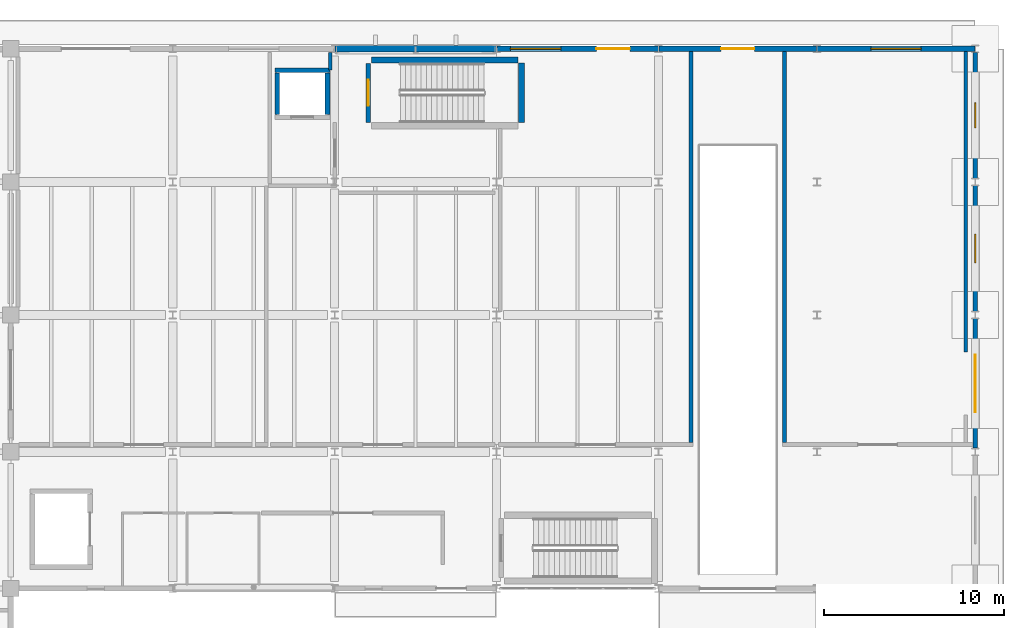
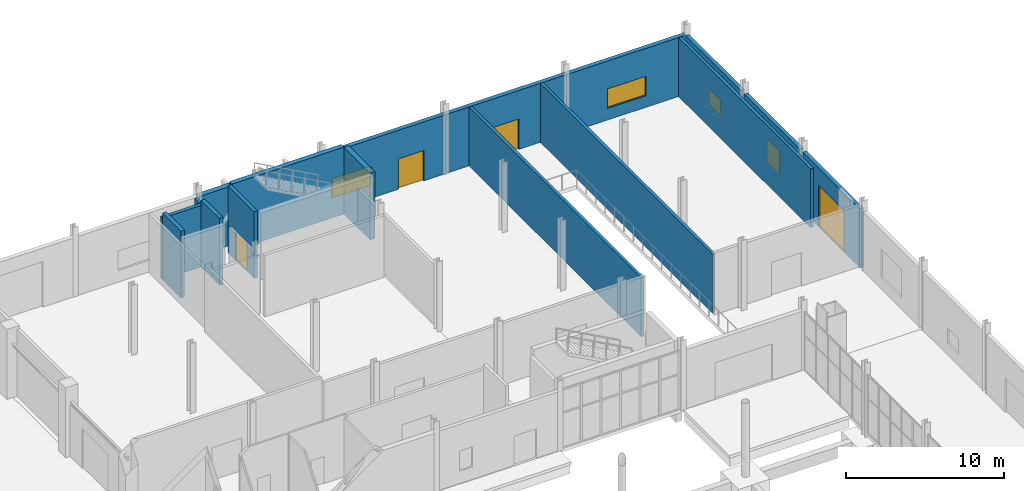
# One storey, part 80 of 95: 17 walls, 4 doors, 4 windows, 8 openings.
"""IFC4 building model written with IfcOpenShell, lengths in metres."""

from ifc_helpers import new_model, si_unit, direction, frame, frame_2d, origin, place, context, subcontext, project, spatial, rectangle, extrude, material, layer, layer_set, type_object, element, fill, save


model = new_model("IFC4")

# Units and contexts
model_context = context("Model", 3, precision=1e-05, world=origin(), true_north=direction((0.0, 1.0)))
body_context = subcontext(model_context, "Body", "Model", "MODEL_VIEW")
ifc_project = project(units=[si_unit("LENGTHUNIT", "METRE"), si_unit("AREAUNIT", "SQUARE_METRE"), si_unit("VOLUMEUNIT", "CUBIC_METRE"), si_unit("PLANEANGLEUNIT", "RADIAN"), si_unit("MASSUNIT", "GRAM", prefix="KILO")], contexts=[model_context])

# Site, building, storey
site_placement = place(None, origin())
site = spatial("IfcSite", under=ifc_project, at=site_placement, CompositionType="ELEMENT")
building_placement = place(site_placement, origin())
building = spatial("IfcBuilding", under=site, at=building_placement, Name="Shengluoqiao Park Theatre", CompositionType="ELEMENT")
storey_placement = place(building_placement, origin())
storey = spatial("IfcBuildingStorey", under=building, at=storey_placement, Name="L00", CompositionType="ELEMENT", Elevation=0.0)

# Wall, opening, door
ifc_material_1 = material(Name="Concrete C40", Category="concrete")
ifc_layer_1 = layer(ifc_material_1, 0.27001953125, Name="Concrete C40")
ifc_layer_set_1 = layer_set([ifc_layer_1], Name="Concrete C40")
wall_type_1 = type_object("IfcWallType", Name="ENV-WL-CONC270", PredefinedType="STANDARD", material=ifc_layer_set_1)
wall_1_placement = place(storey_placement, frame((166.0, 91.803955078125, 0.0), z_axis=(0.0, 0.0, 1.0), x_axis=(0.0, 1.0, 0.0)))
wall_1 = element("IfcWall", 1, at=wall_1_placement, inside=storey, type_object=wall_type_1, Name="L00 Exterior Wall 0183", PredefinedType="STANDARD", context=body_context, shape_type="SweptSolid", body=[
    extrude(rectangle(XDim=7.192138671875, YDim=0.27001953125, at=frame_2d((3.59619140625, 0.0))), origin(), (0.0, 0.0, 1.0), 4.550048828125),
])
opening_1_placement = place(wall_1_placement, frame((1.99609375, 0.0, 0.0)))
opening_1 = element("IfcOpeningElement", 2, at=opening_1_placement, cuts=wall_1, Name="Opening SG-MTL-021", PredefinedType="OPENING", context=body_context, shape_type="SweptSolid", body=[
    extrude(rectangle(XDim=3.199951171875, YDim=3.199951171875, at=frame_2d((1.60009765625, 1.60009765625))), frame((0.0, 0.14501953125, 0.0), z_axis=(0.0, -1.0, 0.0), x_axis=(1.0, 0.0, 0.0)), (0.0, 0.0, 1.0), 0.2900390625),
])
ifc_material_2 = material(Name="Steel Q355", Category="steel")
door_type_1 = type_object("IfcDoorType", Name="ENV-GT-DCK320", OperationType="DOUBLE_DOOR_SINGLE_SWING", PredefinedType="GATE", material=ifc_material_2)
door_1_placement = place(opening_1_placement, origin())
door_1 = element("IfcDoor", 3, at=door_1_placement, inside=storey, type_object=door_type_1, Name="Metalwork Yard Gate SG-MTL-021", OperationType="DOUBLE_DOOR_SINGLE_SWING", OverallHeight=3.199951171875, OverallWidth=3.199951171875, PredefinedType="GATE", context=body_context, shape_type="SweptSolid", body=[
    extrude(rectangle(XDim=3.199951171875, YDim=3.199951171875, at=frame_2d((1.60009765625, 1.60009765625))), frame((0.0, 0.02490234375, 0.0), z_axis=(0.0, -1.0, 0.0), x_axis=(1.0, 0.0, 0.0)), (0.0, 0.0, 1.0), 0.050048828125),
])
fill(opening_1, door_1)

# Wall, opening, window
wall_2_placement = place(storey_placement, frame((166.0, 99.404052734375, 0.0), z_axis=(0.0, 0.0, 1.0), x_axis=(0.0, 1.0, 0.0)))
wall_2 = element("IfcWall", 4, at=wall_2_placement, inside=storey, type_object=wall_type_1, Name="L00 Exterior Wall 0184", PredefinedType="STANDARD", context=body_context, shape_type="SweptSolid", body=[
    extrude(rectangle(XDim=6.991943359375, YDim=0.27001953125, at=frame_2d((3.49609375, 0.0))), origin(), (0.0, 0.0, 1.0), 4.550048828125),
])
opening_2_placement = place(wall_2_placement, frame((2.696044921875, 0.0, 0.89990234375)))
opening_2 = element("IfcOpeningElement", 5, at=opening_2_placement, cuts=wall_2, Name="Opening W-06", PredefinedType="OPENING", context=body_context, shape_type="SweptSolid", body=[
    extrude(rectangle(XDim=1.60009765625, YDim=1.800048828125, at=frame_2d((0.800048828125, 0.89990234375))), frame((0.0, 0.14501953125, 0.0), z_axis=(0.0, -1.0, 0.0), x_axis=(1.0, 0.0, 0.0)), (0.0, 0.0, 1.0), 0.2900390625),
])
ifc_material_3 = material(Name="Insulated glass", Category="glass")
window_type_1 = type_object("IfcWindowType", Name="ENV-WIN-W06", PartitioningType="DOUBLE_PANEL_VERTICAL", PredefinedType="WINDOW", material=ifc_material_3)
window_1_placement = place(opening_2_placement, origin())
window_1 = element("IfcWindow", 6, at=window_1_placement, inside=storey, type_object=window_type_1, Name="L00 Acoustic Window 0032", OverallHeight=1.800048828125, OverallWidth=1.60009765625, PartitioningType="DOUBLE_PANEL_VERTICAL", PredefinedType="WINDOW", context=body_context, shape_type="SweptSolid", body=[
    extrude(rectangle(XDim=1.60009765625, YDim=1.800048828125, at=frame_2d((0.800048828125, 0.89990234375))), frame((0.0, 0.030029296875, 0.0), z_axis=(0.0, -1.0, 0.0), x_axis=(1.0, 0.0, 0.0)), (0.0, 0.0, 1.0), 0.06005859375),
])
fill(opening_2, window_1)

wall_3_placement = place(storey_placement, frame((166.0, 106.803955078125, 0.0), z_axis=(0.0, 0.0, 1.0), x_axis=(0.0, 1.0, 0.0)))
wall_3 = element("IfcWall", 7, at=wall_3_placement, inside=storey, type_object=wall_type_1, Name="L00 Exterior Wall 0185", PredefinedType="STANDARD", context=body_context, shape_type="SweptSolid", body=[
    extrude(rectangle(XDim=6.991943359375, YDim=0.27001953125, at=frame_2d((3.49609375, 0.0))), origin(), (0.0, 0.0, 1.0), 4.550048828125),
])
opening_3_placement = place(wall_3_placement, frame((2.7958984375, 0.0, 0.89990234375)))
opening_3 = element("IfcOpeningElement", 8, at=opening_3_placement, cuts=wall_3, Name="Opening W-12", PredefinedType="OPENING", context=body_context, shape_type="SweptSolid", body=[
    extrude(rectangle(XDim=1.39990234375, YDim=1.199951171875, at=frame_2d((0.699951171875, 0.60009765625))), frame((0.0, 0.14501953125, 0.0), z_axis=(0.0, -1.0, 0.0), x_axis=(1.0, 0.0, 0.0)), (0.0, 0.0, 1.0), 0.2900390625),
])
window_type_2 = type_object("IfcWindowType", Name="ENV-WIN-W12", PartitioningType="SINGLE_PANEL", PredefinedType="WINDOW", material=ifc_material_3)
window_2_placement = place(opening_3_placement, origin())
window_2 = element("IfcWindow", 9, at=window_2_placement, inside=storey, type_object=window_type_2, Name="L00 Acoustic Window 0033", OverallHeight=1.199951171875, OverallWidth=1.39990234375, PartitioningType="SINGLE_PANEL", PredefinedType="WINDOW", context=body_context, shape_type="SweptSolid", body=[
    extrude(rectangle(XDim=1.39990234375, YDim=1.199951171875, at=frame_2d((0.699951171875, 0.60009765625))), frame((0.0, 0.030029296875, 0.0), z_axis=(0.0, -1.0, 0.0), x_axis=(1.0, 0.0, 0.0)), (0.0, 0.0, 1.0), 0.06005859375),
])
fill(opening_3, window_2)

# Wall, openings, door, window
ifc_layer_2 = layer(ifc_material_1, 0.31005859375, Name="Concrete C40")
ifc_layer_set_2 = layer_set([ifc_layer_2], Name="Concrete C40")
wall_type_2 = type_object("IfcWallType", Name="ENV-WL-CONC310", PredefinedType="STANDARD", material=ifc_layer_set_2)
wall_4_placement = place(storey_placement, frame((139.41357421875, 114.0, 0.0), z_axis=(0.0, 0.0, 1.0), x_axis=(1.0, 0.0, 0.0)))
wall_4 = element("IfcWall", 10, at=wall_4_placement, inside=storey, type_object=wall_type_2, Name="L00 Exterior Wall 0164", PredefinedType="STANDARD", context=body_context, shape_type="SweptSolid", body=[
    extrude(rectangle(XDim=8.972900390625, YDim=0.31005859375, at=frame_2d((4.486328125, 0.0))), origin(), (0.0, 0.0, 1.0), 4.550048828125),
])
opening_4_placement = place(wall_4_placement, frame((0.75341796875, 0.0, 0.89990234375)))
opening_4 = element("IfcOpeningElement", 11, at=opening_4_placement, cuts=wall_4, Name="Opening W-09", PredefinedType="OPENING", context=body_context, shape_type="SweptSolid", body=[
    extrude(rectangle(XDim=2.800048828125, YDim=1.5, at=frame_2d((1.39990234375, 0.75))), frame((0.0, 0.1650390625, 0.0), z_axis=(0.0, -1.0, 0.0), x_axis=(1.0, 0.0, 0.0)), (0.0, 0.0, 1.0), 0.330078125),
])
opening_5_placement = place(wall_4_placement, frame((5.53564453125, 0.0, 0.0)))
opening_5 = element("IfcOpeningElement", 12, at=opening_5_placement, cuts=wall_4, Name="Opening ED-ST06-014", PredefinedType="OPENING", context=body_context, shape_type="SweptSolid", body=[
    extrude(rectangle(XDim=1.85009765625, YDim=2.35009765625, at=frame_2d((0.925048828125, 1.175048828125))), frame((0.0, 0.1650390625, 0.0), z_axis=(0.0, -1.0, 0.0), x_axis=(1.0, 0.0, 0.0)), (0.0, 0.0, 1.0), 0.330078125),
])
ifc_material_4 = material(Name="Aluminium 6063-T6", Category="aluminium")
door_type_2 = type_object("IfcDoorType", Name="ENV-DR-EX185", OperationType="DOUBLE_DOOR_SINGLE_SWING", PredefinedType="DOOR", material=ifc_material_4)
door_2_placement = place(opening_5_placement, origin())
door_2 = element("IfcDoor", 13, at=door_2_placement, inside=storey, type_object=door_type_2, Name="Backstage Stair ST-06 North Exit Door ED-ST06-014", OperationType="DOUBLE_DOOR_SINGLE_SWING", OverallHeight=2.35009765625, OverallWidth=1.85009765625, PredefinedType="DOOR", context=body_context, shape_type="SweptSolid", body=[
    extrude(rectangle(XDim=1.85009765625, YDim=2.35009765625, at=frame_2d((0.925048828125, 1.175048828125))), frame((0.0, 0.02490234375, 0.0), z_axis=(0.0, -1.0, 0.0), x_axis=(1.0, 0.0, 0.0)), (0.0, 0.0, 1.0), 0.050048828125),
])
fill(opening_5, door_2)
window_type_3 = type_object("IfcWindowType", Name="ENV-WIN-W09", PartitioningType="TRIPLE_PANEL_VERTICAL", PredefinedType="WINDOW", material=ifc_material_3)
window_3_placement = place(opening_4_placement, origin())
window_3 = element("IfcWindow", 14, at=window_3_placement, inside=storey, type_object=window_type_3, Name="L00 Acoustic Window 0019", OverallHeight=1.5, OverallWidth=2.800048828125, PartitioningType="TRIPLE_PANEL_VERTICAL", PredefinedType="WINDOW", context=body_context, shape_type="SweptSolid", body=[
    extrude(rectangle(XDim=2.800048828125, YDim=1.5, at=frame_2d((1.39990234375, 0.75))), frame((0.0, 0.030029296875, 0.0), z_axis=(0.0, -1.0, 0.0), x_axis=(1.0, 0.0, 0.0)), (0.0, 0.0, 1.0), 0.06005859375),
])
fill(opening_4, window_3)

# Wall, opening, door
wall_5_placement = place(storey_placement, frame((148.41357421875, 114.0, 0.0), z_axis=(0.0, 0.0, 1.0), x_axis=(1.0, 0.0, 0.0)))
wall_5 = element("IfcWall", 15, at=wall_5_placement, inside=storey, type_object=wall_type_2, Name="L00 Exterior Wall 0165", PredefinedType="STANDARD", context=body_context, shape_type="SweptSolid", body=[
    extrude(rectangle(XDim=8.77294921875, YDim=0.31005859375, at=frame_2d((4.386474609375, 0.0))), origin(), (0.0, 0.0, 1.0), 4.550048828125),
])
opening_6_placement = place(wall_5_placement, frame((3.46142578125, 0.0, 0.0)))
opening_6 = element("IfcOpeningElement", 16, at=opening_6_placement, cuts=wall_5, Name="Opening ED-WKS-015", PredefinedType="OPENING", context=body_context, shape_type="SweptSolid", body=[
    extrude(rectangle(XDim=1.85009765625, YDim=2.35009765625, at=frame_2d((0.925048828125, 1.175048828125))), frame((0.0, 0.1650390625, 0.0), z_axis=(0.0, -1.0, 0.0), x_axis=(1.0, 0.0, 0.0)), (0.0, 0.0, 1.0), 0.330078125),
])
door_3_placement = place(opening_6_placement, origin())
door_3 = element("IfcDoor", 17, at=door_3_placement, inside=storey, type_object=door_type_2, Name="Workshop North Exit Door ED-WKS-015", OperationType="DOUBLE_DOOR_SINGLE_SWING", OverallHeight=2.35009765625, OverallWidth=1.85009765625, PredefinedType="DOOR", context=body_context, shape_type="SweptSolid", body=[
    extrude(rectangle(XDim=1.85009765625, YDim=2.35009765625, at=frame_2d((0.925048828125, 1.175048828125))), frame((0.0, 0.02490234375, 0.0), z_axis=(0.0, -1.0, 0.0), x_axis=(1.0, 0.0, 0.0)), (0.0, 0.0, 1.0), 0.050048828125),
])
fill(opening_6, door_3)

# Wall, opening, window
wall_6_placement = place(storey_placement, frame((157.21337890625, 114.0, 0.0), z_axis=(0.0, 0.0, 1.0), x_axis=(1.0, 0.0, 0.0)))
wall_6 = element("IfcWall", 18, at=wall_6_placement, inside=storey, type_object=wall_type_2, Name="L00 Exterior Wall 0166", PredefinedType="STANDARD", context=body_context, shape_type="SweptSolid", body=[
    extrude(rectangle(XDim=8.773193359375, YDim=0.31005859375, at=frame_2d((4.38671875, 0.0))), origin(), (0.0, 0.0, 1.0), 4.550048828125),
])
opening_7_placement = place(wall_6_placement, frame((2.986572265625, 0.0, 0.89990234375)))
opening_7 = element("IfcOpeningElement", 19, at=opening_7_placement, cuts=wall_6, Name="Opening W-09", PredefinedType="OPENING", context=body_context, shape_type="SweptSolid", body=[
    extrude(rectangle(XDim=2.800048828125, YDim=1.5, at=frame_2d((1.39990234375, 0.75))), frame((0.0, 0.1650390625, 0.0), z_axis=(0.0, -1.0, 0.0), x_axis=(1.0, 0.0, 0.0)), (0.0, 0.0, 1.0), 0.330078125),
])
window_4_placement = place(opening_7_placement, origin())
window_4 = element("IfcWindow", 20, at=window_4_placement, inside=storey, type_object=window_type_3, Name="L00 Acoustic Window 0020", OverallHeight=1.5, OverallWidth=2.800048828125, PartitioningType="TRIPLE_PANEL_VERTICAL", PredefinedType="WINDOW", context=body_context, shape_type="SweptSolid", body=[
    extrude(rectangle(XDim=2.800048828125, YDim=1.5, at=frame_2d((1.39990234375, 0.75))), frame((0.0, 0.030029296875, 0.0), z_axis=(0.0, -1.0, 0.0), x_axis=(1.0, 0.0, 0.0)), (0.0, 0.0, 1.0), 0.06005859375),
])
fill(opening_7, window_4)

# Walls
ifc_material_5 = material(Name="Concrete C45", Category="concrete")
ifc_layer_3 = layer(ifc_material_5, 0.3798828125, Name="Concrete C45")
ifc_layer_set_3 = layer_set([ifc_layer_3], Name="Concrete C45")
wall_type_3 = type_object("IfcWallType", Name="ENV-WL-CONC380", PredefinedType="STANDARD", material=ifc_layer_set_3)
wall_7_placement = place(storey_placement, frame((130.41357421875, 114.0, 0.0), z_axis=(0.0, 0.0, 1.0), x_axis=(1.0, 0.0, 0.0)))
element("IfcWall", 21, at=wall_7_placement, inside=storey, type_object=wall_type_3, Name="L00 Exterior Wall 0163", PredefinedType="STANDARD", context=body_context, shape_type="SweptSolid", body=[
    extrude(rectangle(XDim=8.972900390625, YDim=0.3798828125, at=frame_2d((4.486328125, 0.0))), origin(), (0.0, 0.0, 1.0), 4.550048828125),
])
ifc_material_6 = material(Name="Concrete blockwork B06", Category="masonry")
ifc_layer_4 = layer(ifc_material_6, 0.2099609375, Name="Concrete blockwork B06")
ifc_layer_set_4 = layer_set([ifc_layer_4], Name="Concrete blockwork B06")
wall_type_4 = type_object("IfcWallType", Name="INT-WL-CMP210", PredefinedType="PARTITIONING", material=ifc_layer_set_4)
for number, where, z_axis, x_axis, name in (
    (22, (150.199951171875, 92.111083984375, 0.0), (0.0, 0.0, 1.0), (0.0, 1.0, 0.0), "Paint Workshop Partition E"),
    (23, (155.39990234375, 92.111083984375, 0.0), (0.0, 0.0, 1.0), (0.0, 1.0, 0.0), "Metalwork Workshop Partition W"),
):
    element("IfcWall", number, at=place(storey_placement, frame(where, z_axis=z_axis, x_axis=x_axis)), inside=storey, type_object=wall_type_4, Name=name, PredefinedType="PARTITIONING", context=body_context, shape_type="SweptSolid", body=[
        extrude(rectangle(XDim=21.725830078125, YDim=0.2099609375, at=frame_2d((10.86279296875, 0.0))), origin(), (0.0, 0.0, 1.0), 4.550048828125),
    ])
wall_8_placement = place(storey_placement, frame((165.47998046875, 97.159912109375, 0.0), z_axis=(0.0, 0.0, 1.0), x_axis=(0.0, 1.0, 0.0)))
element("IfcWall", 24, at=wall_8_placement, inside=storey, type_object=wall_type_4, Name="Metalwork Workshop Partition E", PredefinedType="PARTITIONING", context=body_context, shape_type="SweptSolid", body=[
    extrude(rectangle(XDim=16.677001953125, YDim=0.2099609375, at=frame_2d((8.33837890625, 0.0))), origin(), (0.0, 0.0, 1.0), 4.550048828125),
])
ifc_layer_5 = layer(ifc_material_6, 0.195068359375, Name="Concrete blockwork B06")
ifc_layer_set_5 = layer_set([ifc_layer_5], Name="Concrete blockwork B06")
wall_type_5 = type_object("IfcWallType", Name="INT-WL-FFL195", PredefinedType="PARTITIONING", material=ifc_layer_set_5)
wall_9_placement = place(storey_placement, frame((130.139892578125, 112.820068359375, 0.0), z_axis=(0.0, 0.0, 1.0), x_axis=(0.0, 1.0, 0.0)))
element("IfcWall", 25, at=wall_9_placement, inside=storey, type_object=wall_type_5, Name="L00 Firefighting Lift Lobby FF2 Fire Wall N", PredefinedType="PARTITIONING", context=body_context, shape_type="SweptSolid", body=[
    extrude(rectangle(XDim=0.9599609375, YDim=0.195068359375, at=frame_2d((0.47998046875, 0.0))), origin(), (0.0, 0.0, 1.0), 4.550048828125),
])
ifc_layer_6 = layer(ifc_material_1, 0.260009765625, Name="Concrete C40")
ifc_layer_set_6 = layer_set([ifc_layer_6], Name="Concrete C40")
wall_type_6 = type_object("IfcWallType", Name="INT-WL-SHF260", PredefinedType="STANDARD", material=ifc_layer_set_6)
wall_10_placement = place(storey_placement, frame((127.070068359375, 112.800048828125, 0.0), z_axis=(0.0, 0.0, 1.0), x_axis=(1.0, 0.0, 0.0)))
element("IfcWall", 26, at=wall_10_placement, inside=storey, type_object=wall_type_6, Name="L00 FF2 Lift Shaft Wall North", PredefinedType="STANDARD", context=body_context, shape_type="SweptSolid", body=[
    extrude(rectangle(XDim=3.059814453125, YDim=0.260009765625, at=frame_2d((1.52978515625, 0.0))), origin(), (0.0, 0.0, 1.0), 4.748046875),
])
for number, where, z_axis, x_axis, name in (
    (27, (127.199951171875, 110.3359375, 0.0), (0.0, 0.0, 1.0), (0.0, 1.0, 0.0), "L00 FF2 Lift Shaft Wall West"),
    (28, (130.0, 110.3359375, 0.0), (0.0, 0.0, 1.0), (0.0, 1.0, 0.0), "L00 FF2 Lift Shaft Wall East"),
):
    element("IfcWall", number, at=place(storey_placement, frame(where, z_axis=z_axis, x_axis=x_axis)), inside=storey, type_object=wall_type_6, Name=name, PredefinedType="STANDARD", context=body_context, shape_type="SweptSolid", body=[
        extrude(rectangle(XDim=2.328125, YDim=0.260009765625, at=frame_2d((1.1640625, 0.0))), origin(), (0.0, 0.0, 1.0), 5.159912109375),
    ])

# Wall, opening, door
ifc_layer_7 = layer(ifc_material_1, 0.239990234375, Name="Concrete C40")
ifc_layer_set_7 = layer_set([ifc_layer_7], Name="Concrete C40")
wall_type_7 = type_object("IfcWallType", Name="INT-WL-STW240", PredefinedType="STANDARD", material=ifc_layer_set_7)
wall_11_placement = place(storey_placement, frame((132.260009765625, 109.909912109375, 0.0), z_axis=(0.0, 0.0, 1.0), x_axis=(0.0, 1.0, 0.0)))
wall_11 = element("IfcWall", 29, at=wall_11_placement, inside=storey, type_object=wall_type_7, Name="L00 ST-06 Stairwell Fire Wall", PredefinedType="STANDARD", context=body_context, shape_type="SweptSolid", body=[
    extrude(rectangle(XDim=3.280029296875, YDim=0.239990234375, at=frame_2d((1.64013671875, 0.0))), origin(), (0.0, 0.0, 1.0), 5.159912109375),
])
opening_8_placement = place(wall_11_placement, frame((0.9150390625, 0.0, 0.0)))
opening_8 = element("IfcOpeningElement", 30, at=opening_8_placement, cuts=wall_11, Name="Opening SD-06-L00", PredefinedType="OPENING", context=body_context, shape_type="SweptSolid", body=[
    extrude(rectangle(XDim=1.449951171875, YDim=2.199951171875, at=frame_2d((0.72509765625, 1.10009765625))), frame((0.0, 0.1298828125, 0.0), z_axis=(0.0, -1.0, 0.0), x_axis=(1.0, 0.0, 0.0)), (0.0, 0.0, 1.0), 0.260009765625),
])
door_type_3 = type_object("IfcDoorType", Name="INT-DR-STW145", OperationType="DOUBLE_DOOR_SINGLE_SWING", PredefinedType="DOOR", material=ifc_material_2)
door_4_placement = place(opening_8_placement, origin())
door_4 = element("IfcDoor", 31, at=door_4_placement, inside=storey, type_object=door_type_3, Name="L00 ST-06 Escape Stair Door SD-06-L00", OperationType="DOUBLE_DOOR_SINGLE_SWING", OverallHeight=2.199951171875, OverallWidth=1.449951171875, PredefinedType="DOOR", context=body_context, shape_type="SweptSolid", body=[
    extrude(rectangle(XDim=1.449951171875, YDim=2.199951171875, at=frame_2d((0.72509765625, 1.10009765625))), frame((0.0, 0.02490234375, 0.0), z_axis=(0.0, -1.0, 0.0), x_axis=(1.0, 0.0, 0.0)), (0.0, 0.0, 1.0), 0.050048828125),
])
fill(opening_8, door_4)

# Walls
ifc_material_7 = material(Name="Concrete C50", Category="concrete")
ifc_layer_8 = layer(ifc_material_7, 0.35009765625, Name="Concrete C50")
ifc_layer_set_8 = layer_set([ifc_layer_8], Name="Concrete C50")
wall_type_8 = type_object("IfcWallType", Name="STR-SW-CORE350", PredefinedType="SHEAR", material=ifc_layer_set_8)
wall_12_placement = place(storey_placement, frame((140.780029296875, 109.89990234375, 0.0), z_axis=(0.0, 0.0, 1.0), x_axis=(0.0, 1.0, 0.0)))
element("IfcWall", 32, at=wall_12_placement, inside=storey, type_object=wall_type_8, Name="L00 ST-06 Core Far Shear Wall 0110", PredefinedType="SHEAR", context=body_context, shape_type="SweptSolid", body=[
    extrude(rectangle(XDim=3.300048828125, YDim=0.35009765625, at=frame_2d((1.64990234375, 0.0))), origin(), (0.0, 0.0, 1.0), 5.159912109375),
])
wall_13_placement = place(storey_placement, frame((140.60009765625, 113.3798828125, 0.0), z_axis=(0.0, 0.0, 1.0), x_axis=(-1.0, 0.0, 0.0)))
element("IfcWall", 33, at=wall_13_placement, inside=storey, type_object=wall_type_8, Name="L00 ST-06 Core Right Shear Wall 0111", PredefinedType="SHEAR", context=body_context, shape_type="SweptSolid", body=[
    extrude(rectangle(XDim=8.150146484375, YDim=0.35009765625, at=frame_2d((4.0751953125, 0.0))), origin(), (0.0, 0.0, 1.0), 5.159912109375),
])

save(model, "model.ifc")
